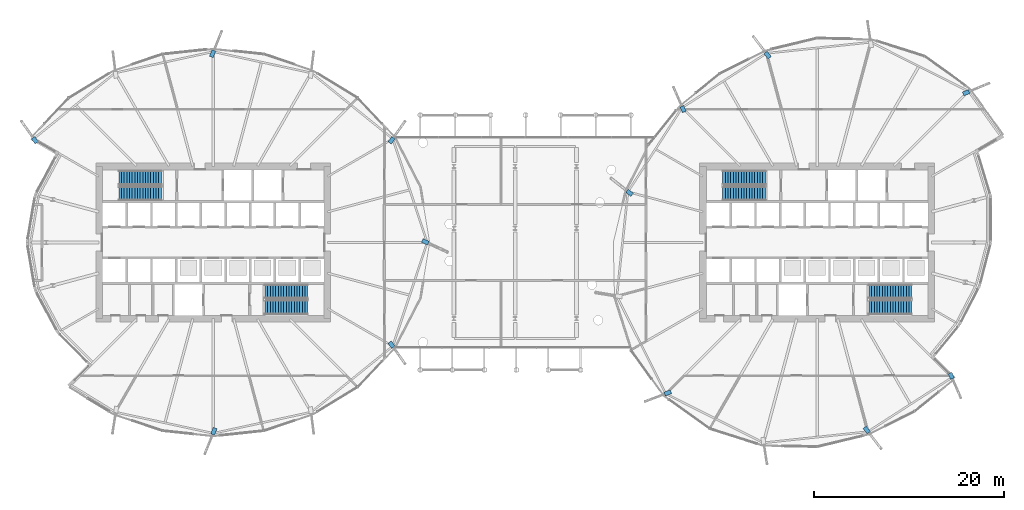
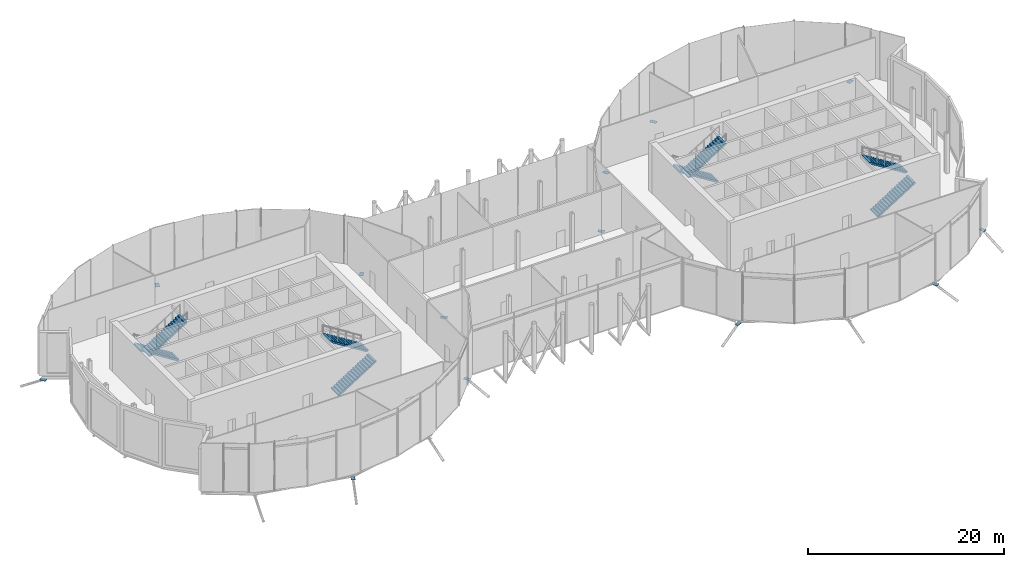
# One storey, part 25 of 38: 13 discrete accessories, 8 stair flights, 4 elements without a shape of their own.
"""IFC4 building model written with IfcOpenShell, lengths in metres."""

from ifc_helpers import new_model, si_unit, direction, frame, origin, origin_2d, place, context, subcontext, project, spatial, polyline, rectangle, outline, extrude, material, material_profile, profile_set, type_object, element, aggregate, save


model = new_model("IFC4")

# Units and contexts
model_context = context("Model", 3, precision=1e-05, world=origin(), true_north=direction((0.0, 1.0)))
body_context = subcontext(model_context, "Body", "Model", "MODEL_VIEW")
ifc_project = project(units=[si_unit("LENGTHUNIT", "METRE"), si_unit("AREAUNIT", "SQUARE_METRE"), si_unit("VOLUMEUNIT", "CUBIC_METRE"), si_unit("PLANEANGLEUNIT", "RADIAN"), si_unit("MASSUNIT", "GRAM", prefix="KILO")], contexts=[model_context])

# Site, building, storey
site_placement = place(None, origin())
site = spatial("IfcSite", under=ifc_project, at=site_placement, CompositionType="ELEMENT")
building_placement = place(site_placement, origin())
building = spatial("IfcBuilding", under=site, at=building_placement, Name="Rimbun Link Towers", CompositionType="ELEMENT")
storey_placement = place(building_placement, frame((0.0, 0.0, 133.199951171875)))
storey = spatial("IfcBuildingStorey", under=building, at=storey_placement, Name="L32", CompositionType="ELEMENT", Elevation=133.199951171875)

# Stair, stair flights
ifc_material_1 = material(Name="Concrete C40/50", Category="concrete")
stair_type = type_object("IfcStairType", Name="Exit stair 6000 rise", PredefinedType="HALF_TURN_STAIR", material=ifc_material_1)
stair_1_placement = place(storey_placement, origin())
stair_1 = element("IfcStair", 1, at=stair_1_placement, inside=storey, type_object=stair_type, Name="L32 EXIT STAIR A", PredefinedType="HALF_TURN_STAIR")
ifc_material_2 = material(Name="Concrete C40/50", Category="concrete")
stair_flight_type = type_object("IfcStairFlightType", Name="Exit stair flight 6000 rise", PredefinedType="STRAIGHT", material=ifc_material_2)
stair_flight_1_placement = place(storey_placement, frame((-37.199951171875, 6.800048828125, 0.0), z_axis=(0.0, 0.0, 1.0), x_axis=(-1.0, 0.0, 0.0)))
stair_flight_1 = element("IfcStairFlight", 2, at=stair_flight_1_placement, type_object=stair_flight_type, Name="ST1 flight 1", NumberOfRisers=17, NumberOfTreads=16, PredefinedType="STRAIGHT", RiserHeight=0.176470588, TreadLength=0.28, context=body_context, shape_type="SweptSolid", body=[
    extrude(outline(polyline([(0.0, 0.0), (0.0, 0.176513671875), (0.280029296875, 0.176513671875), (0.280029296875, 0.35302734375), (0.56005859375, 0.35302734375), (0.56005859375, 0.529296875), (0.840087890625, 0.529296875), (0.840087890625, 0.705810546875), (1.1201171875, 0.705810546875), (1.1201171875, 0.88232421875), (1.39990234375, 0.88232421875), (1.39990234375, 1.058837890625), (1.679931640625, 1.058837890625), (1.679931640625, 1.2353515625), (1.9599609375, 1.2353515625), (1.9599609375, 1.411865234375), (2.239990234375, 1.411865234375), (2.239990234375, 1.588134765625), (2.52001953125, 1.588134765625), (2.52001953125, 1.7646484375), (2.800048828125, 1.7646484375), (2.800048828125, 1.941162109375), (3.080078125, 1.941162109375), (3.080078125, 2.11767578125), (3.360107421875, 2.11767578125), (3.360107421875, 2.294189453125), (3.639892578125, 2.294189453125), (3.639892578125, 2.470703125), (3.919921875, 2.470703125), (3.919921875, 2.64697265625), (4.199951171875, 2.64697265625), (4.199951171875, 2.823486328125), (4.47998046875, 2.823486328125), (4.47998046875, 3.0), (4.47998046875, 2.646240234375), (0.280029296875, 0.0), (0.0, 0.0)])), frame((0.0, 0.75, 0.0), z_axis=(0.0, -1.0, 0.0), x_axis=(1.0, 0.0, 0.0)), (0.0, 0.0, 1.0), 1.5),
])
stair_flight_2_placement = place(storey_placement, frame((-41.679931640625, 5.14990234375, 3.0), z_axis=(0.0, 0.0, 1.0), x_axis=(1.0, 0.0, 0.0)))
stair_flight_2 = element("IfcStairFlight", 3, at=stair_flight_2_placement, type_object=stair_flight_type, Name="ST1 flight 2", NumberOfRisers=17, NumberOfTreads=16, PredefinedType="STRAIGHT", RiserHeight=0.176470588, TreadLength=0.28, context=body_context, shape_type="SweptSolid", body=[
    extrude(outline(polyline([(0.0, 0.0), (0.0, 0.176513671875), (0.280029296875, 0.176513671875), (0.280029296875, 0.35302734375), (0.56005859375, 0.35302734375), (0.56005859375, 0.529296875), (0.840087890625, 0.529296875), (0.840087890625, 0.705810546875), (1.1201171875, 0.705810546875), (1.1201171875, 0.88232421875), (1.39990234375, 0.88232421875), (1.39990234375, 1.058837890625), (1.679931640625, 1.058837890625), (1.679931640625, 1.2353515625), (1.9599609375, 1.2353515625), (1.9599609375, 1.411865234375), (2.239990234375, 1.411865234375), (2.239990234375, 1.588134765625), (2.52001953125, 1.588134765625), (2.52001953125, 1.7646484375), (2.800048828125, 1.7646484375), (2.800048828125, 1.941162109375), (3.080078125, 1.941162109375), (3.080078125, 2.11767578125), (3.360107421875, 2.11767578125), (3.360107421875, 2.294189453125), (3.639892578125, 2.294189453125), (3.639892578125, 2.470703125), (3.919921875, 2.470703125), (3.919921875, 2.64697265625), (4.199951171875, 2.64697265625), (4.199951171875, 2.823486328125), (4.47998046875, 2.823486328125), (4.47998046875, 3.0), (4.47998046875, 2.646240234375), (0.280029296875, 0.0), (0.0, 0.0)])), frame((0.0, 0.75, 0.0), z_axis=(0.0, -1.0, 0.0), x_axis=(1.0, 0.0, 0.0)), (0.0, 0.0, 1.0), 1.5),
])
aggregate(stair_1, [stair_flight_1, stair_flight_2])

stair_2_placement = place(storey_placement, origin())
stair_2 = element("IfcStair", 4, at=stair_2_placement, inside=storey, type_object=stair_type, Name="L32 EXIT STAIR B", PredefinedType="HALF_TURN_STAIR")
stair_flight_3_placement = place(storey_placement, frame((-26.300048828125, -6.800048828125, 0.0), z_axis=(0.0, 0.0, 1.0), x_axis=(1.0, 0.0, 0.0)))
stair_flight_3 = element("IfcStairFlight", 5, at=stair_flight_3_placement, type_object=stair_flight_type, Name="ST2 flight 1", NumberOfRisers=17, NumberOfTreads=16, PredefinedType="STRAIGHT", RiserHeight=0.176470588, TreadLength=0.28, context=body_context, shape_type="SweptSolid", body=[
    extrude(outline(polyline([(0.0, 0.0), (0.0, 0.176513671875), (0.280029296875, 0.176513671875), (0.280029296875, 0.35302734375), (0.56005859375, 0.35302734375), (0.56005859375, 0.529296875), (0.840087890625, 0.529296875), (0.840087890625, 0.705810546875), (1.1201171875, 0.705810546875), (1.1201171875, 0.88232421875), (1.39990234375, 0.88232421875), (1.39990234375, 1.058837890625), (1.679931640625, 1.058837890625), (1.679931640625, 1.2353515625), (1.9599609375, 1.2353515625), (1.9599609375, 1.411865234375), (2.239990234375, 1.411865234375), (2.239990234375, 1.588134765625), (2.52001953125, 1.588134765625), (2.52001953125, 1.7646484375), (2.800048828125, 1.7646484375), (2.800048828125, 1.941162109375), (3.080078125, 1.941162109375), (3.080078125, 2.11767578125), (3.360107421875, 2.11767578125), (3.360107421875, 2.294189453125), (3.639892578125, 2.294189453125), (3.639892578125, 2.470703125), (3.919921875, 2.470703125), (3.919921875, 2.64697265625), (4.199951171875, 2.64697265625), (4.199951171875, 2.823486328125), (4.47998046875, 2.823486328125), (4.47998046875, 3.0), (4.47998046875, 2.646240234375), (0.280029296875, 0.0), (0.0, 0.0)])), frame((0.0, 0.75, 0.0), z_axis=(0.0, -1.0, 0.0), x_axis=(1.0, 0.0, 0.0)), (0.0, 0.0, 1.0), 1.5),
])
stair_flight_4_placement = place(storey_placement, frame((-21.820068359375, -5.14990234375, 3.0), z_axis=(0.0, 0.0, 1.0), x_axis=(-1.0, 0.0, 0.0)))
stair_flight_4 = element("IfcStairFlight", 6, at=stair_flight_4_placement, type_object=stair_flight_type, Name="ST2 flight 2", NumberOfRisers=17, NumberOfTreads=16, PredefinedType="STRAIGHT", RiserHeight=0.176470588, TreadLength=0.28, context=body_context, shape_type="SweptSolid", body=[
    extrude(outline(polyline([(0.0, 0.0), (0.0, 0.176513671875), (0.280029296875, 0.176513671875), (0.280029296875, 0.35302734375), (0.56005859375, 0.35302734375), (0.56005859375, 0.529296875), (0.840087890625, 0.529296875), (0.840087890625, 0.705810546875), (1.1201171875, 0.705810546875), (1.1201171875, 0.88232421875), (1.39990234375, 0.88232421875), (1.39990234375, 1.058837890625), (1.679931640625, 1.058837890625), (1.679931640625, 1.2353515625), (1.9599609375, 1.2353515625), (1.9599609375, 1.411865234375), (2.239990234375, 1.411865234375), (2.239990234375, 1.588134765625), (2.52001953125, 1.588134765625), (2.52001953125, 1.7646484375), (2.800048828125, 1.7646484375), (2.800048828125, 1.941162109375), (3.080078125, 1.941162109375), (3.080078125, 2.11767578125), (3.360107421875, 2.11767578125), (3.360107421875, 2.294189453125), (3.639892578125, 2.294189453125), (3.639892578125, 2.470703125), (3.919921875, 2.470703125), (3.919921875, 2.64697265625), (4.199951171875, 2.64697265625), (4.199951171875, 2.823486328125), (4.47998046875, 2.823486328125), (4.47998046875, 3.0), (4.47998046875, 2.646240234375), (0.280029296875, 0.0), (0.0, 0.0)])), frame((0.0, 0.75, 0.0), z_axis=(0.0, -1.0, 0.0), x_axis=(1.0, 0.0, 0.0)), (0.0, 0.0, 1.0), 1.5),
])
aggregate(stair_2, [stair_flight_3, stair_flight_4])

stair_3_placement = place(storey_placement, origin())
stair_3 = element("IfcStair", 7, at=stair_3_placement, inside=storey, type_object=stair_type, Name="L32 EXIT STAIR A", PredefinedType="HALF_TURN_STAIR")
stair_flight_5_placement = place(storey_placement, frame((26.300048828125, 6.800048828125, 0.0), z_axis=(0.0, 0.0, 1.0), x_axis=(-1.0, 0.0, 0.0)))
stair_flight_5 = element("IfcStairFlight", 8, at=stair_flight_5_placement, type_object=stair_flight_type, Name="ST3 flight 1", NumberOfRisers=17, NumberOfTreads=16, PredefinedType="STRAIGHT", RiserHeight=0.176470588, TreadLength=0.28, context=body_context, shape_type="SweptSolid", body=[
    extrude(outline(polyline([(0.0, 0.0), (0.0, 0.176513671875), (0.280029296875, 0.176513671875), (0.280029296875, 0.35302734375), (0.56005859375, 0.35302734375), (0.56005859375, 0.529296875), (0.840087890625, 0.529296875), (0.840087890625, 0.705810546875), (1.1201171875, 0.705810546875), (1.1201171875, 0.88232421875), (1.39990234375, 0.88232421875), (1.39990234375, 1.058837890625), (1.679931640625, 1.058837890625), (1.679931640625, 1.2353515625), (1.9599609375, 1.2353515625), (1.9599609375, 1.411865234375), (2.239990234375, 1.411865234375), (2.239990234375, 1.588134765625), (2.52001953125, 1.588134765625), (2.52001953125, 1.7646484375), (2.800048828125, 1.7646484375), (2.800048828125, 1.941162109375), (3.080078125, 1.941162109375), (3.080078125, 2.11767578125), (3.360107421875, 2.11767578125), (3.360107421875, 2.294189453125), (3.639892578125, 2.294189453125), (3.639892578125, 2.470703125), (3.919921875, 2.470703125), (3.919921875, 2.64697265625), (4.199951171875, 2.64697265625), (4.199951171875, 2.823486328125), (4.47998046875, 2.823486328125), (4.47998046875, 3.0), (4.47998046875, 2.646240234375), (0.280029296875, 0.0), (0.0, 0.0)])), frame((0.0, 0.75, 0.0), z_axis=(0.0, -1.0, 0.0), x_axis=(1.0, 0.0, 0.0)), (0.0, 0.0, 1.0), 1.5),
])
stair_flight_6_placement = place(storey_placement, frame((21.820068359375, 5.14990234375, 3.0), z_axis=(0.0, 0.0, 1.0), x_axis=(1.0, 0.0, 0.0)))
stair_flight_6 = element("IfcStairFlight", 9, at=stair_flight_6_placement, type_object=stair_flight_type, Name="ST3 flight 2", NumberOfRisers=17, NumberOfTreads=16, PredefinedType="STRAIGHT", RiserHeight=0.176470588, TreadLength=0.28, context=body_context, shape_type="SweptSolid", body=[
    extrude(outline(polyline([(0.0, 0.0), (0.0, 0.176513671875), (0.280029296875, 0.176513671875), (0.280029296875, 0.35302734375), (0.56005859375, 0.35302734375), (0.56005859375, 0.529296875), (0.840087890625, 0.529296875), (0.840087890625, 0.705810546875), (1.1201171875, 0.705810546875), (1.1201171875, 0.88232421875), (1.39990234375, 0.88232421875), (1.39990234375, 1.058837890625), (1.679931640625, 1.058837890625), (1.679931640625, 1.2353515625), (1.9599609375, 1.2353515625), (1.9599609375, 1.411865234375), (2.239990234375, 1.411865234375), (2.239990234375, 1.588134765625), (2.52001953125, 1.588134765625), (2.52001953125, 1.7646484375), (2.800048828125, 1.7646484375), (2.800048828125, 1.941162109375), (3.080078125, 1.941162109375), (3.080078125, 2.11767578125), (3.360107421875, 2.11767578125), (3.360107421875, 2.294189453125), (3.639892578125, 2.294189453125), (3.639892578125, 2.470703125), (3.919921875, 2.470703125), (3.919921875, 2.64697265625), (4.199951171875, 2.64697265625), (4.199951171875, 2.823486328125), (4.47998046875, 2.823486328125), (4.47998046875, 3.0), (4.47998046875, 2.646240234375), (0.280029296875, 0.0), (0.0, 0.0)])), frame((0.0, 0.75, 0.0), z_axis=(0.0, -1.0, 0.0), x_axis=(1.0, 0.0, 0.0)), (0.0, 0.0, 1.0), 1.5),
])
aggregate(stair_3, [stair_flight_5, stair_flight_6])

stair_4_placement = place(storey_placement, origin())
stair_4 = element("IfcStair", 10, at=stair_4_placement, inside=storey, type_object=stair_type, Name="L32 EXIT STAIR B", PredefinedType="HALF_TURN_STAIR")
stair_flight_7_placement = place(storey_placement, frame((37.199951171875, -6.800048828125, 0.0), z_axis=(0.0, 0.0, 1.0), x_axis=(1.0, 0.0, 0.0)))
stair_flight_7 = element("IfcStairFlight", 11, at=stair_flight_7_placement, type_object=stair_flight_type, Name="ST4 flight 1", NumberOfRisers=17, NumberOfTreads=16, PredefinedType="STRAIGHT", RiserHeight=0.176470588, TreadLength=0.28, context=body_context, shape_type="SweptSolid", body=[
    extrude(outline(polyline([(0.0, 0.0), (0.0, 0.176513671875), (0.280029296875, 0.176513671875), (0.280029296875, 0.35302734375), (0.56005859375, 0.35302734375), (0.56005859375, 0.529296875), (0.840087890625, 0.529296875), (0.840087890625, 0.705810546875), (1.1201171875, 0.705810546875), (1.1201171875, 0.88232421875), (1.39990234375, 0.88232421875), (1.39990234375, 1.058837890625), (1.679931640625, 1.058837890625), (1.679931640625, 1.2353515625), (1.9599609375, 1.2353515625), (1.9599609375, 1.411865234375), (2.239990234375, 1.411865234375), (2.239990234375, 1.588134765625), (2.52001953125, 1.588134765625), (2.52001953125, 1.7646484375), (2.800048828125, 1.7646484375), (2.800048828125, 1.941162109375), (3.080078125, 1.941162109375), (3.080078125, 2.11767578125), (3.360107421875, 2.11767578125), (3.360107421875, 2.294189453125), (3.639892578125, 2.294189453125), (3.639892578125, 2.470703125), (3.919921875, 2.470703125), (3.919921875, 2.64697265625), (4.199951171875, 2.64697265625), (4.199951171875, 2.823486328125), (4.47998046875, 2.823486328125), (4.47998046875, 3.0), (4.47998046875, 2.646240234375), (0.280029296875, 0.0), (0.0, 0.0)])), frame((0.0, 0.75, 0.0), z_axis=(0.0, -1.0, 0.0), x_axis=(1.0, 0.0, 0.0)), (0.0, 0.0, 1.0), 1.5),
])
stair_flight_8_placement = place(storey_placement, frame((41.679931640625, -5.14990234375, 3.0), z_axis=(0.0, 0.0, 1.0), x_axis=(-1.0, 0.0, 0.0)))
stair_flight_8 = element("IfcStairFlight", 12, at=stair_flight_8_placement, type_object=stair_flight_type, Name="ST4 flight 2", NumberOfRisers=17, NumberOfTreads=16, PredefinedType="STRAIGHT", RiserHeight=0.176470588, TreadLength=0.28, context=body_context, shape_type="SweptSolid", body=[
    extrude(outline(polyline([(0.0, 0.0), (0.0, 0.176513671875), (0.280029296875, 0.176513671875), (0.280029296875, 0.35302734375), (0.56005859375, 0.35302734375), (0.56005859375, 0.529296875), (0.840087890625, 0.529296875), (0.840087890625, 0.705810546875), (1.1201171875, 0.705810546875), (1.1201171875, 0.88232421875), (1.39990234375, 0.88232421875), (1.39990234375, 1.058837890625), (1.679931640625, 1.058837890625), (1.679931640625, 1.2353515625), (1.9599609375, 1.2353515625), (1.9599609375, 1.411865234375), (2.239990234375, 1.411865234375), (2.239990234375, 1.588134765625), (2.52001953125, 1.588134765625), (2.52001953125, 1.7646484375), (2.800048828125, 1.7646484375), (2.800048828125, 1.941162109375), (3.080078125, 1.941162109375), (3.080078125, 2.11767578125), (3.360107421875, 2.11767578125), (3.360107421875, 2.294189453125), (3.639892578125, 2.294189453125), (3.639892578125, 2.470703125), (3.919921875, 2.470703125), (3.919921875, 2.64697265625), (4.199951171875, 2.64697265625), (4.199951171875, 2.823486328125), (4.47998046875, 2.823486328125), (4.47998046875, 3.0), (4.47998046875, 2.646240234375), (0.280029296875, 0.0), (0.0, 0.0)])), frame((0.0, 0.75, 0.0), z_axis=(0.0, -1.0, 0.0), x_axis=(1.0, 0.0, 0.0)), (0.0, 0.0, 1.0), 1.5),
])
aggregate(stair_4, [stair_flight_7, stair_flight_8])

# Discrete accessories
ifc_material_3 = material(Name="Steel S355J2H", Category="steel")
ifc_material_profile = material_profile(ifc_material_3, rectangle(XDim=0.43310546875, YDim=0.43310546875, at=origin_2d()), Name="PL 433x433")
ifc_profile_set = profile_set([ifc_material_profile], Name="Steel S355J2H")
discrete_accessory_type = type_object("IfcDiscreteAccessoryType", Name="Link head end plate 433X20", PredefinedType="BRACKET", material=ifc_profile_set)
discrete_accessory_1_placement = place(storey_placement, frame((0.0, 0.0, -0.733154296875)))
element("IfcDiscreteAccessory", 13, at=discrete_accessory_1_placement, inside=storey, type_object=discrete_accessory_type, Name="Link head end plate T1 L32 00", PredefinedType="BRACKET", context=body_context, shape_type="SweptSolid", body=[
    extrude(outline(polyline([(-9.864501953125, 0.020751953125), (-9.2236328125, -0.273193359375), (-9.043212890625, 0.120361328125), (-9.68408203125, 0.414306640625), (-9.864501953125, 0.020751953125)])), origin(), (0.0, 0.0, 1.0), 0.02001953125),
])
discrete_accessory_2_placement = place(storey_placement, frame((0.0, 0.0, -0.6064453125)))
element("IfcDiscreteAccessory", 14, at=discrete_accessory_2_placement, inside=storey, type_object=discrete_accessory_type, Name="Link head end plate T1 L32 02", PredefinedType="BRACKET", context=body_context, shape_type="SweptSolid", body=[
    extrude(outline(polyline([(-13.017578125, 10.35009765625), (-12.626220703125, 10.903076171875), (-12.9794921875, 11.1533203125), (-13.37109375, 10.6005859375), (-13.017578125, 10.35009765625)])), origin(), (0.0, 0.0, 1.0), 0.02001953125),
])
discrete_accessory_3_placement = place(storey_placement, frame((0.0, 0.0, -0.883544921875)))
element("IfcDiscreteAccessory", 15, at=discrete_accessory_3_placement, inside=storey, type_object=discrete_accessory_type, Name="Link head end plate T1 L32 06", PredefinedType="BRACKET", context=body_context, shape_type="SweptSolid", body=[
    extrude(outline(polyline([(-31.751953125, 19.428955078125), (-31.481201171875, 20.102783203125), (-31.8828125, 20.264404296875), (-32.15380859375, 19.590576171875), (-31.751953125, 19.428955078125)])), origin(), (0.0, 0.0, 1.0), 0.02001953125),
])
discrete_accessory_4_placement = place(storey_placement, frame((0.0, 0.0, -0.6064453125)))
element("IfcDiscreteAccessory", 16, at=discrete_accessory_4_placement, inside=storey, type_object=discrete_accessory_type, Name="Link head end plate T1 L32 10", PredefinedType="BRACKET", context=body_context, shape_type="SweptSolid", body=[
    extrude(outline(polyline([(-50.12890625, 10.6005859375), (-50.5205078125, 11.1533203125), (-50.873779296875, 10.903076171875), (-50.482421875, 10.35009765625), (-50.12890625, 10.6005859375)])), origin(), (0.0, 0.0, 1.0), 0.02001953125),
])
discrete_accessory_5_placement = place(storey_placement, frame((0.0, 0.0, -0.883544921875)))
element("IfcDiscreteAccessory", 17, at=discrete_accessory_5_placement, inside=storey, type_object=discrete_accessory_type, Name="Link head end plate T1 L32 18", PredefinedType="BRACKET", context=body_context, shape_type="SweptSolid", body=[
    extrude(outline(polyline([(-31.748046875, -19.428955078125), (-32.018798828125, -20.102783203125), (-31.6171875, -20.264404296875), (-31.34619140625, -19.590576171875), (-31.748046875, -19.428955078125)])), origin(), (0.0, 0.0, 1.0), 0.02001953125),
])
discrete_accessory_6_placement = place(storey_placement, frame((0.0, 0.0, -0.6064453125)))
element("IfcDiscreteAccessory", 18, at=discrete_accessory_6_placement, inside=storey, type_object=discrete_accessory_type, Name="Link head end plate T1 L32 22", PredefinedType="BRACKET", context=body_context, shape_type="SweptSolid", body=[
    extrude(outline(polyline([(-13.37109375, -10.6005859375), (-12.9794921875, -11.1533203125), (-12.626220703125, -10.903076171875), (-13.017578125, -10.35009765625), (-13.37109375, -10.6005859375)])), origin(), (0.0, 0.0, 1.0), 0.02001953125),
])
discrete_accessory_7_placement = place(storey_placement, frame((0.0, 0.0, -0.802490234375)))
element("IfcDiscreteAccessory", 19, at=discrete_accessory_7_placement, inside=storey, type_object=discrete_accessory_type, Name="Link head end plate T2 L32 00", PredefinedType="BRACKET", context=body_context, shape_type="SweptSolid", body=[
    extrude(outline(polyline([(47.18994140625, 15.4208984375), (47.813720703125, 15.681396484375), (47.64697265625, 16.0810546875), (47.023193359375, 15.820556640625), (47.18994140625, 15.4208984375)])), origin(), (0.0, 0.0, 1.0), 0.02001953125),
])
discrete_accessory_8_placement = place(storey_placement, frame((0.0, 0.0, -0.883544921875)))
element("IfcDiscreteAccessory", 20, at=discrete_accessory_8_placement, inside=storey, type_object=discrete_accessory_type, Name="Link head end plate T2 L32 04", PredefinedType="BRACKET", context=body_context, shape_type="SweptSolid", body=[
    extrude(outline(polyline([(26.927490234375, 19.557373046875), (26.4921875, 20.122802734375), (26.149169921875, 19.858642578125), (26.584228515625, 19.29345703125), (26.927490234375, 19.557373046875)])), origin(), (0.0, 0.0, 1.0), 0.02001953125),
])
discrete_accessory_9_placement = place(storey_placement, frame((0.0, 0.0, -0.6533203125)))
element("IfcDiscreteAccessory", 21, at=discrete_accessory_9_placement, inside=storey, type_object=discrete_accessory_type, Name="Link head end plate T2 L32 06", PredefinedType="BRACKET", context=body_context, shape_type="SweptSolid", body=[
    extrude(outline(polyline([(17.98291015625, 13.811767578125), (17.7216796875, 14.4091796875), (17.324951171875, 14.23583984375), (17.586181640625, 13.63818359375), (17.98291015625, 13.811767578125)])), origin(), (0.0, 0.0, 1.0), 0.02001953125),
])
discrete_accessory_10_placement = place(storey_placement, frame((0.0, 0.0, -0.6533203125)))
element("IfcDiscreteAccessory", 22, at=discrete_accessory_10_placement, inside=storey, type_object=discrete_accessory_type, Name="Link head end plate T2 L32 08", PredefinedType="BRACKET", context=body_context, shape_type="SweptSolid", body=[
    extrude(outline(polyline([(12.431396484375, 5.177001953125), (11.89404296875, 5.601806640625), (11.62548828125, 5.261962890625), (12.162841796875, 4.83740234375), (12.431396484375, 5.177001953125)])), origin(), (0.0, 0.0, 1.0), 0.02001953125),
])
discrete_accessory_11_placement = place(storey_placement, frame((0.0, 0.0, -0.802490234375)))
element("IfcDiscreteAccessory", 23, at=discrete_accessory_11_placement, inside=storey, type_object=discrete_accessory_type, Name="Link head end plate T2 L32 12", PredefinedType="BRACKET", context=body_context, shape_type="SweptSolid", body=[
    extrude(outline(polyline([(16.29638671875, -15.485107421875), (15.6279296875, -15.736328125), (15.7802734375, -16.1416015625), (16.44873046875, -15.890380859375), (16.29638671875, -15.485107421875)])), origin(), (0.0, 0.0, 1.0), 0.02001953125),
])
discrete_accessory_12_placement = place(storey_placement, frame((0.0, 0.0, -0.883544921875)))
element("IfcDiscreteAccessory", 24, at=discrete_accessory_12_placement, inside=storey, type_object=discrete_accessory_type, Name="Link head end plate T2 L32 16", PredefinedType="BRACKET", context=body_context, shape_type="SweptSolid", body=[
    extrude(outline(polyline([(36.572509765625, -19.557373046875), (37.0078125, -20.122802734375), (37.350830078125, -19.858642578125), (36.915771484375, -19.29345703125), (36.572509765625, -19.557373046875)])), origin(), (0.0, 0.0, 1.0), 0.02001953125),
])
discrete_accessory_13_placement = place(storey_placement, frame((0.0, 0.0, -0.6533203125)))
element("IfcDiscreteAccessory", 25, at=discrete_accessory_13_placement, inside=storey, type_object=discrete_accessory_type, Name="Link head end plate T2 L32 18", PredefinedType="BRACKET", context=body_context, shape_type="SweptSolid", body=[
    extrude(outline(polyline([(45.51708984375, -13.811767578125), (45.7783203125, -14.4091796875), (46.175048828125, -14.23583984375), (45.913818359375, -13.63818359375), (45.51708984375, -13.811767578125)])), origin(), (0.0, 0.0, 1.0), 0.02001953125),
])

save(model, "model.ifc")
